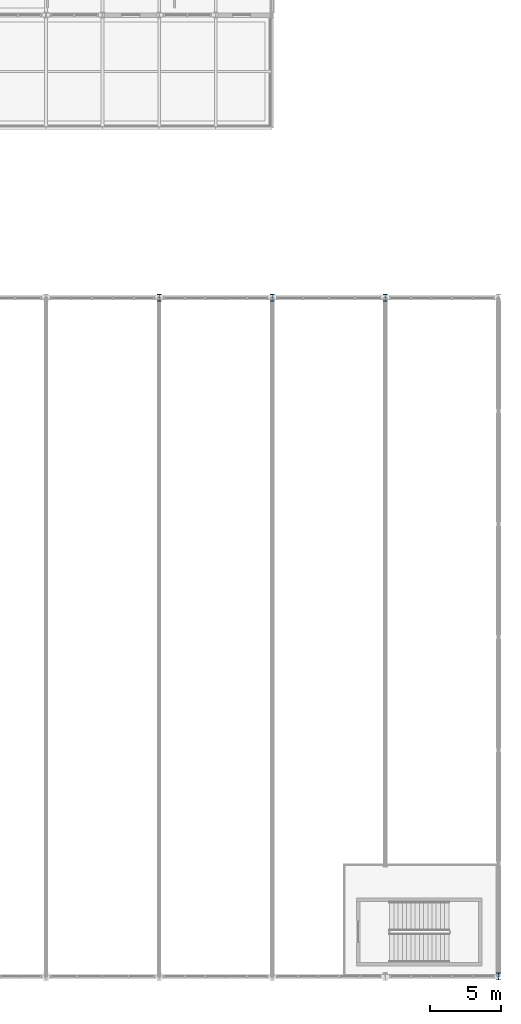
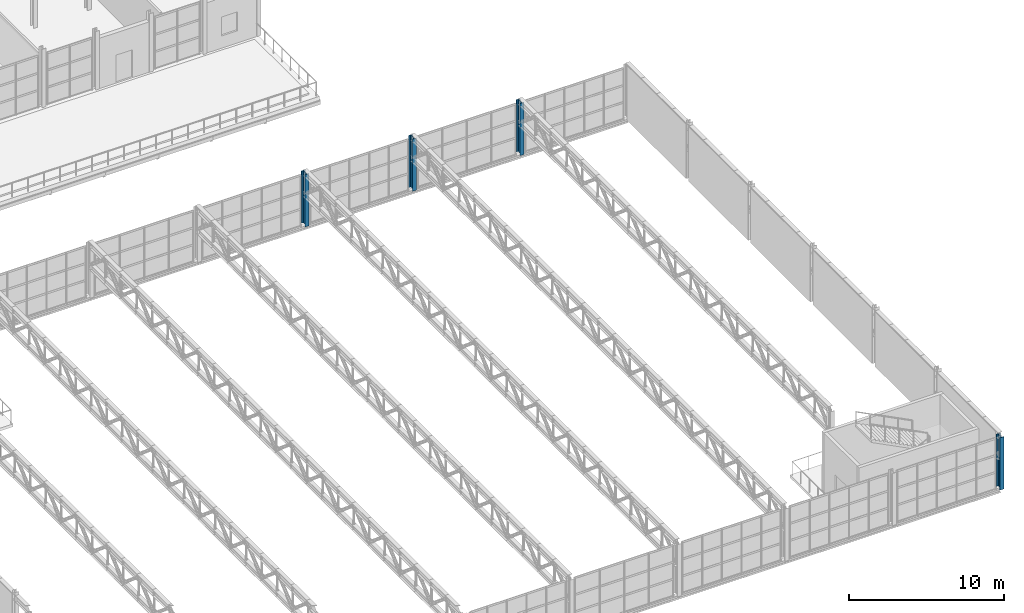
# One storey, part 4 of 67: 4 columns.
"""IFC4 building model written with IfcOpenShell, lengths in metres."""

from ifc_helpers import new_model, si_unit, derived_unit, direction, frame, origin, origin_2d, place, context, subcontext, project, spatial, i_section, extrude, material, material_profile, profile_set, type_object, element, save


model = new_model("IFC4")

# Units and contexts
model_context = context("Model", 3, precision=1e-05, world=origin(), true_north=direction((0.0, 1.0)))
body_context = subcontext(model_context, "Body", "Model", "MODEL_VIEW")
ifc_project = project(units=[si_unit("LENGTHUNIT", "METRE"), si_unit("AREAUNIT", "SQUARE_METRE"), si_unit("VOLUMEUNIT", "CUBIC_METRE"), si_unit("PLANEANGLEUNIT", "RADIAN"), si_unit("MASSUNIT", "GRAM", prefix="KILO"), derived_unit("THERMALTRANSMITTANCEUNIT", [(si_unit("POWERUNIT", "WATT"), 1), (si_unit("LENGTHUNIT", "METRE"), -2), (si_unit("THERMODYNAMICTEMPERATUREUNIT", "KELVIN"), -1)])], contexts=[model_context])

# Site, building, storey
site_placement = place(None, origin())
site = spatial("IfcSite", under=ifc_project, at=site_placement, CompositionType="ELEMENT")
building_placement = place(site_placement, origin())
building = spatial("IfcBuilding", under=site, at=building_placement, Name="Keldorne Ridge Multi-Sports Centre", CompositionType="ELEMENT")
storey_placement = place(building_placement, frame((0.0, 0.0, 14.0)))
storey = spatial("IfcBuildingStorey", under=building, at=storey_placement, Name="L03", CompositionType="ELEMENT", Elevation=14.0)

# Columns
ifc_material = material(Name="Steel S355", Category="steel")
ifc_material_profile = material_profile(ifc_material, i_section(OverallWidth=0.300048828125, OverallDepth=0.5, WebThickness=0.014404296875, FlangeThickness=0.028076171875, FilletRadius=0.027099609375, at=origin_2d()), Name="HEB 500")
ifc_profile_set = profile_set([ifc_material_profile], Name="Steel S355")
column_type = type_object("IfcColumnType", Name="COL-C-05", PredefinedType="COLUMN", material=ifc_profile_set)
for number, where, z_axis, x_axis, name in (
    (1, (144.0, 54.0, 0.0), (0.0, 0.0, 1.0), (1.0, 0.0, 0.0), "Structural column V2-TRUSS-N-06 on L03"),
    (2, (152.0, 54.0, 0.0), (0.0, 0.0, 1.0), (1.0, 0.0, 0.0), "Structural column V2-TRUSS-N-07 on L03"),
    (3, (160.0, 54.0, 0.0), (0.0, 0.0, 1.0), (1.0, 0.0, 0.0), "Structural column V2-TRUSS-N-08 on L03"),
    (4, (168.0, 6.0, 0.0), (0.0, 0.0, 1.0), (1.0, 0.0, 0.0), "Structural column V2-TRUSS-S-09 on L03"),
):
    element("IfcColumn", number, at=place(storey_placement, frame(where, z_axis=z_axis, x_axis=x_axis)), inside=storey, type_object=column_type, Name=name, PredefinedType="COLUMN", context=body_context, shape_type="SweptSolid", body=[
        extrude(i_section(OverallWidth=0.300048828125, OverallDepth=0.5, WebThickness=0.014404296875, FlangeThickness=0.028076171875, FilletRadius=0.027099609375, at=origin_2d()), origin(), (0.0, 0.0, 1.0), 4.110107421875),
    ])

save(model, "model.ifc")
